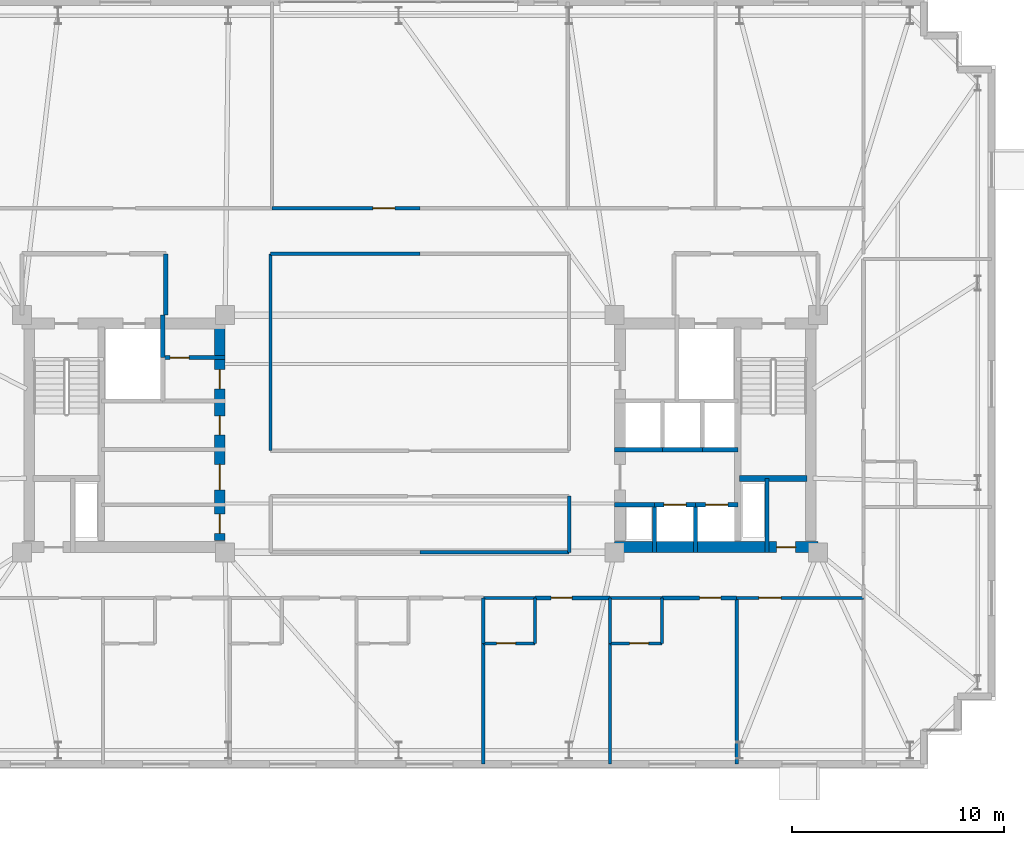
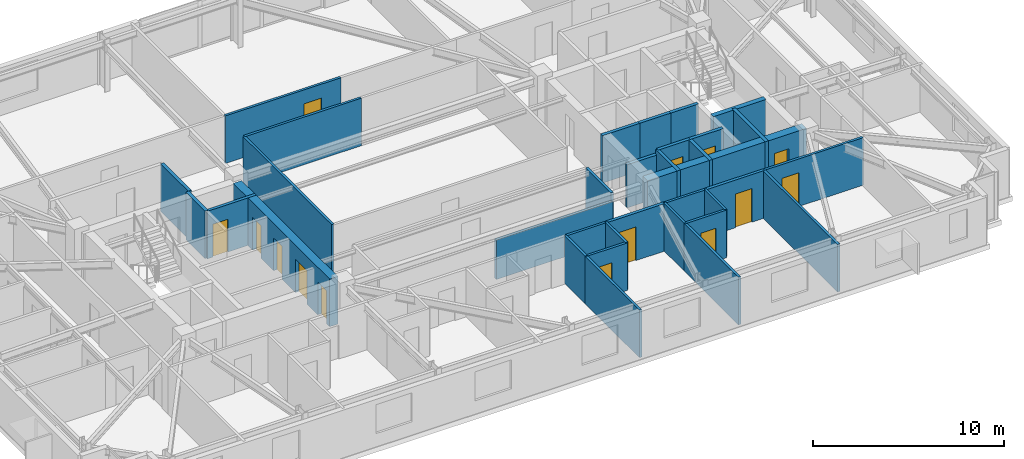
# One storey, part 14 of 18: 34 walls, 14 doors, 14 openings.
"""IFC4 building model written with IfcOpenShell, lengths in metres."""

from ifc_helpers import new_model, si_unit, direction, frame, frame_2d, origin, place, context, subcontext, project, spatial, rectangle, extrude, material, layer, layer_set, type_object, element, fill, save


model = new_model("IFC4")

# Units and contexts
model_context = context("Model", 3, precision=1e-05, world=origin(), true_north=direction((0.0, 1.0)))
body_context = subcontext(model_context, "Body", "Model", "MODEL_VIEW")
ifc_project = project(units=[si_unit("LENGTHUNIT", "METRE"), si_unit("AREAUNIT", "SQUARE_METRE"), si_unit("VOLUMEUNIT", "CUBIC_METRE"), si_unit("PLANEANGLEUNIT", "RADIAN"), si_unit("MASSUNIT", "GRAM", prefix="KILO")], contexts=[model_context])

# Site, building, storey
site_placement = place(None, origin())
site = spatial("IfcSite", under=ifc_project, at=site_placement, CompositionType="ELEMENT")
building_placement = place(site_placement, origin())
building = spatial("IfcBuilding", under=site, at=building_placement, Name="Qobustan Lattice House", CompositionType="ELEMENT")
storey_placement = place(building_placement, frame((0.0, 0.0, 147.75)))
storey = spatial("IfcBuildingStorey", under=building, at=storey_placement, Name="L41", CompositionType="ELEMENT", Elevation=147.75)

# Wall, openings, doors
ifc_material_1 = material(Name="Concrete C50/60", Category="concrete")
ifc_layer_1 = layer(ifc_material_1, 0.5)
ifc_layer_set_1 = layer_set([ifc_layer_1], Name="Concrete C50/60")
wall_type_1 = type_object("IfcWallType", Name="WAL-CORE-500", PredefinedType="SHEAR", material=ifc_layer_set_1)
wall_1_placement = place(storey_placement, frame((-9.449951171875, -5.050048828125, 0.0), z_axis=(0.0, 0.0, 1.0), x_axis=(0.0, 1.0, 0.0)))
wall_1 = element("IfcWall", 1, at=wall_1_placement, inside=storey, type_object=wall_type_1, Name="L41 split-core shear wall CW-E", PredefinedType="SHEAR", context=body_context, shape_type="SweptSolid", body=[
    extrude(rectangle(XDim=10.10009765625, YDim=0.5, at=frame_2d((5.050048828125, 0.0))), origin(), (0.0, 0.0, 1.0), 3.0400390625),
])
opening_1_placement = place(wall_1_placement, frame((7.175048828125, 0.0, 0.0)))
opening_1 = element("IfcOpeningElement", 2, at=opening_1_placement, cuts=wall_1, Name="Opening RD-01", PredefinedType="OPENING", context=body_context, shape_type="SweptSolid", body=[
    extrude(rectangle(XDim=0.89990234375, YDim=2.10009765625, at=frame_2d((0.449951171875, 1.050048828125))), frame((0.0, 0.260009765625, 0.0), z_axis=(0.0, -1.0, 0.0), x_axis=(1.0, 0.0, 0.0)), (0.0, 0.0, 1.0), 0.52001953125),
])
opening_2_placement = place(wall_1_placement, frame((2.39990234375, 0.0, 0.0)))
opening_2 = element("IfcOpeningElement", 3, at=opening_2_placement, cuts=wall_1, Name="Opening FD-01", PredefinedType="OPENING", context=body_context, shape_type="SweptSolid", body=[
    extrude(rectangle(XDim=1.199951171875, YDim=2.14990234375, at=frame_2d((0.60009765625, 1.074951171875))), frame((0.0, 0.260009765625, 0.0), z_axis=(0.0, -1.0, 0.0), x_axis=(1.0, 0.0, 0.0)), (0.0, 0.0, 1.0), 0.52001953125),
])
opening_3_placement = place(wall_1_placement, frame((0.35009765625, 0.0, 0.0)))
opening_3 = element("IfcOpeningElement", 4, at=opening_3_placement, cuts=wall_1, Name="Opening RD-01", PredefinedType="OPENING", context=body_context, shape_type="SweptSolid", body=[
    extrude(rectangle(XDim=0.89990234375, YDim=2.10009765625, at=frame_2d((0.449951171875, 1.050048828125))), frame((0.0, 0.260009765625, 0.0), z_axis=(0.0, -1.0, 0.0), x_axis=(1.0, 0.0, 0.0)), (0.0, 0.0, 1.0), 0.52001953125),
])
opening_4_placement = place(wall_1_placement, frame((5.0, 0.0, 0.0)))
opening_4 = element("IfcOpeningElement", 5, at=opening_4_placement, cuts=wall_1, Name="Opening RD-01", PredefinedType="OPENING", context=body_context, shape_type="SweptSolid", body=[
    extrude(rectangle(XDim=0.89990234375, YDim=2.10009765625, at=frame_2d((0.449951171875, 1.050048828125))), frame((0.0, 0.260009765625, 0.0), z_axis=(0.0, -1.0, 0.0), x_axis=(1.0, 0.0, 0.0)), (0.0, 0.0, 1.0), 0.52001953125),
])
ifc_material_2 = material(Name="Persian walnut timber and steel frame door", Category="steel")
door_type_1 = type_object("IfcDoorType", Name="DOR-LOBBY-FD-1200x2150", OperationType="NOTDEFINED", PredefinedType="DOOR", material=ifc_material_2)
door_1_placement = place(opening_2_placement, origin())
door_1 = element("IfcDoor", 6, at=door_1_placement, inside=storey, type_object=door_type_1, Name="L41 West core foyer fire door", OperationType="SINGLE_SWING_RIGHT", OverallHeight=2.14990234375, OverallWidth=1.199951171875, PredefinedType="DOOR", context=body_context, shape_type="SweptSolid", body=[
    extrude(rectangle(XDim=1.199951171875, YDim=2.14990234375, at=frame_2d((0.60009765625, 1.074951171875))), frame((0.0, 0.02490234375, 0.0), z_axis=(0.0, -1.0, 0.0), x_axis=(1.0, 0.0, 0.0)), (0.0, 0.0, 1.0), 0.050048828125),
])
fill(opening_2, door_1)
ifc_material_3 = material(Name="Persian walnut timber and steel frame door", Category="steel")
door_type_2 = type_object("IfcDoorType", Name="DOR-RISER-FD-900x2100", OperationType="NOTDEFINED", PredefinedType="DOOR", material=ifc_material_3)
door_2_placement = place(opening_1_placement, origin())
door_2 = element("IfcDoor", 7, at=door_2_placement, inside=storey, type_object=door_type_2, Name="L41 Core utility lobby fire door", OperationType="SINGLE_SWING_LEFT", OverallHeight=2.10009765625, OverallWidth=0.89990234375, PredefinedType="DOOR", context=body_context, shape_type="SweptSolid", body=[
    extrude(rectangle(XDim=0.89990234375, YDim=2.10009765625, at=frame_2d((0.449951171875, 1.050048828125))), frame((0.0, 0.02490234375, 0.0), z_axis=(0.0, -1.0, 0.0), x_axis=(1.0, 0.0, 0.0)), (0.0, 0.0, 1.0), 0.050048828125),
])
fill(opening_1, door_2)
door_3_placement = place(opening_3_placement, origin())
door_3 = element("IfcDoor", 8, at=door_3_placement, inside=storey, type_object=door_type_2, Name="L41 Quiet study alcove fire door", OperationType="SINGLE_SWING_LEFT", OverallHeight=2.10009765625, OverallWidth=0.89990234375, PredefinedType="DOOR", context=body_context, shape_type="SweptSolid", body=[
    extrude(rectangle(XDim=0.89990234375, YDim=2.10009765625, at=frame_2d((0.449951171875, 1.050048828125))), frame((0.0, 0.02490234375, 0.0), z_axis=(0.0, -1.0, 0.0), x_axis=(1.0, 0.0, 0.0)), (0.0, 0.0, 1.0), 0.050048828125),
])
fill(opening_3, door_3)
door_4_placement = place(opening_4_placement, origin())
door_4 = element("IfcDoor", 9, at=door_4_placement, inside=storey, type_object=door_type_2, Name="L41 Resident reading pod fire door", OperationType="SINGLE_SWING_RIGHT", OverallHeight=2.10009765625, OverallWidth=0.89990234375, PredefinedType="DOOR", context=body_context, shape_type="SweptSolid", body=[
    extrude(rectangle(XDim=0.89990234375, YDim=2.10009765625, at=frame_2d((0.449951171875, 1.050048828125))), frame((0.0, 0.02490234375, 0.0), z_axis=(0.0, -1.0, 0.0), x_axis=(1.0, 0.0, 0.0)), (0.0, 0.0, 1.0), 0.050048828125),
])
fill(opening_4, door_4)

# Wall, opening, door
wall_2_placement = place(storey_placement, frame((9.199951171875, -5.35009765625, 0.0), z_axis=(0.0, 0.0, 1.0), x_axis=(1.0, 0.0, 0.0)))
wall_2 = element("IfcWall", 10, at=wall_2_placement, inside=storey, type_object=wall_type_1, Name="L41 split-core shear wall CE-S", PredefinedType="SHEAR", context=body_context, shape_type="SweptSolid", body=[
    extrude(rectangle(XDim=9.60009765625, YDim=0.5, at=frame_2d((4.800048828125, 0.0))), origin(), (0.0, 0.0, 1.0), 3.0400390625),
])
opening_5_placement = place(wall_2_placement, frame((7.64990234375, 0.0, 0.0)))
opening_5 = element("IfcOpeningElement", 11, at=opening_5_placement, cuts=wall_2, Name="Opening RD-01", PredefinedType="OPENING", context=body_context, shape_type="SweptSolid", body=[
    extrude(rectangle(XDim=0.89990234375, YDim=2.10009765625, at=frame_2d((0.449951171875, 1.050048828125))), frame((0.0, 0.260009765625, 0.0), z_axis=(0.0, -1.0, 0.0), x_axis=(1.0, 0.0, 0.0)), (0.0, 0.0, 1.0), 0.52001953125),
])
door_5_placement = place(opening_5_placement, origin())
door_5 = element("IfcDoor", 12, at=door_5_placement, inside=storey, type_object=door_type_2, Name="L41 core service riser access door E", OperationType="SINGLE_SWING_RIGHT", OverallHeight=2.10009765625, OverallWidth=0.89990234375, PredefinedType="DOOR", context=body_context, shape_type="SweptSolid", body=[
    extrude(rectangle(XDim=0.89990234375, YDim=2.10009765625, at=frame_2d((0.449951171875, 1.050048828125))), frame((0.0, 0.02490234375, 0.0), z_axis=(0.0, -1.0, 0.0), x_axis=(1.0, 0.0, 0.0)), (0.0, 0.0, 1.0), 0.050048828125),
])
fill(opening_5, door_5)

# Wall
ifc_material_4 = material(Name="Concrete C50/60", Category="concrete")
ifc_layer_2 = layer(ifc_material_4, 0.280029296875)
ifc_layer_set_2 = layer_set([ifc_layer_2], Name="Concrete C50/60")
wall_type_2 = type_object("IfcWallType", Name="WAL-CORE-SPINE-280", PredefinedType="SHEAR", material=ifc_layer_set_2)
wall_3_placement = place(storey_placement, frame((15.10009765625, -2.110107421875, 0.0), z_axis=(0.0, 0.0, 1.0), x_axis=(1.0, 0.0, 0.0)))
element("IfcWall", 13, at=wall_3_placement, inside=storey, type_object=wall_type_2, Name="L41 split-core shear wall CE-ST", PredefinedType="SHEAR", context=body_context, shape_type="SweptSolid", body=[
    extrude(rectangle(XDim=3.179931640625, YDim=0.300048828125, at=frame_2d((1.58984375, 0.0))), origin(), (0.0, 0.0, 1.0), 3.0400390625),
])

# Wall, opening, door
ifc_material_5 = material(Name="Gypsum fireboard acoustic partition", Category="gypsum")
ifc_layer_3 = layer(ifc_material_5, 0.179931640625)
ifc_layer_set_3 = layer_set([ifc_layer_3], Name="Gypsum fireboard acoustic partition")
wall_type_3 = type_object("IfcWallType", Name="WAL-FIRE-180", PredefinedType="PARTITIONING", material=ifc_layer_set_3)
wall_4_placement = place(storey_placement, frame((-9.199951171875, 3.60009765625, 0.0), z_axis=(0.0, 0.0, 1.0), x_axis=(-1.0, 0.0, 0.0)))
wall_4 = element("IfcWall", 14, at=wall_4_placement, inside=storey, type_object=wall_type_3, Name="L41 interior partition 7", PredefinedType="PARTITIONING", context=body_context, shape_type="SweptSolid", body=[
    extrude(rectangle(XDim=2.949951171875, YDim=0.179931640625, at=frame_2d((1.47509765625, 0.0))), origin(), (0.0, 0.0, 1.0), 3.0400390625),
])
opening_6_placement = place(wall_4_placement, frame((1.699951171875, 0.0, 0.0)))
opening_6 = element("IfcOpeningElement", 15, at=opening_6_placement, cuts=wall_4, Name="Opening RD-01", PredefinedType="OPENING", context=body_context, shape_type="SweptSolid", body=[
    extrude(rectangle(XDim=0.89990234375, YDim=2.10009765625, at=frame_2d((0.449951171875, 1.050048828125))), frame((0.0, 0.099853515625, 0.0), z_axis=(0.0, -1.0, 0.0), x_axis=(1.0, 0.0, 0.0)), (0.0, 0.0, 1.0), 0.199951171875),
])
door_6_placement = place(opening_6_placement, origin())
door_6 = element("IfcDoor", 16, at=door_6_placement, inside=storey, type_object=door_type_2, Name="L41 Core utility lobby to Cleaner store door", OperationType="SINGLE_SWING_RIGHT", OverallHeight=2.10009765625, OverallWidth=0.89990234375, PredefinedType="DOOR", context=body_context, shape_type="SweptSolid", body=[
    extrude(rectangle(XDim=0.89990234375, YDim=2.10009765625, at=frame_2d((0.449951171875, 1.050048828125))), frame((0.0, 0.02490234375, 0.0), z_axis=(0.0, -1.0, 0.0), x_axis=(1.0, 0.0, 0.0)), (0.0, 0.0, 1.0), 0.050048828125),
])
fill(opening_6, door_6)

wall_5_placement = place(storey_placement, frame((8.97900390625, -7.75, 0.0), z_axis=(0.0, 0.0, 1.0), x_axis=(-1.0, 0.0, 0.0)))
wall_5 = element("IfcWall", 17, at=wall_5_placement, inside=storey, type_object=wall_type_3, Name="L41 interior partition 52", PredefinedType="PARTITIONING", context=body_context, shape_type="SweptSolid", body=[
    extrude(rectangle(XDim=3.535888671875, YDim=0.179931640625, at=frame_2d((1.76806640625, 0.0))), origin(), (0.0, 0.0, 1.0), 3.0400390625),
])
opening_7_placement = place(wall_5_placement, frame((1.783935546875, 0.0, 0.0)))
opening_7 = element("IfcOpeningElement", 18, at=opening_7_placement, cuts=wall_5, Name="Opening FD-02", PredefinedType="OPENING", context=body_context, shape_type="SweptSolid", body=[
    extrude(rectangle(XDim=1.0, YDim=2.14990234375, at=frame_2d((0.5, 1.074951171875))), frame((0.0, 0.099853515625, 0.0), z_axis=(0.0, -1.0, 0.0), x_axis=(1.0, 0.0, 0.0)), (0.0, 0.0, 1.0), 0.199951171875),
])
ifc_material_6 = material(Name="Persian walnut timber and steel frame door", Category="steel")
door_type_3 = type_object("IfcDoorType", Name="DOR-UNIT-FD-1000x2150", OperationType="NOTDEFINED", PredefinedType="DOOR", material=ifc_material_6)
door_7_placement = place(opening_7_placement, origin())
door_7 = element("IfcDoor", 19, at=door_7_placement, inside=storey, type_object=door_type_3, Name="L41 South-east floor corridor to Kitchenette and studio apartment L41-S5 door", OperationType="SINGLE_SWING_RIGHT", OverallHeight=2.14990234375, OverallWidth=1.0, PredefinedType="DOOR", context=body_context, shape_type="SweptSolid", body=[
    extrude(rectangle(XDim=1.0, YDim=2.14990234375, at=frame_2d((0.5, 1.074951171875))), frame((0.0, 0.02490234375, 0.0), z_axis=(0.0, -1.0, 0.0), x_axis=(1.0, 0.0, 0.0)), (0.0, 0.0, 1.0), 0.050048828125),
])
fill(opening_7, door_7)

wall_6_placement = place(storey_placement, frame((14.964111328125, -7.75, 0.0), z_axis=(0.0, 0.0, 1.0), x_axis=(-1.0, 0.0, 0.0)))
wall_6 = element("IfcWall", 20, at=wall_6_placement, inside=storey, type_object=wall_type_3, Name="L41 interior partition 54", PredefinedType="PARTITIONING", context=body_context, shape_type="SweptSolid", body=[
    extrude(rectangle(XDim=3.53515625, YDim=0.179931640625, at=frame_2d((1.767578125, 0.0))), origin(), (0.0, 0.0, 1.0), 3.0400390625),
])
opening_8_placement = place(wall_6_placement, frame((0.751953125, 0.0, 0.0)))
opening_8 = element("IfcOpeningElement", 21, at=opening_8_placement, cuts=wall_6, Name="Opening FD-02", PredefinedType="OPENING", context=body_context, shape_type="SweptSolid", body=[
    extrude(rectangle(XDim=1.0, YDim=2.14990234375, at=frame_2d((0.5, 1.074951171875))), frame((0.0, 0.099853515625, 0.0), z_axis=(0.0, -1.0, 0.0), x_axis=(1.0, 0.0, 0.0)), (0.0, 0.0, 1.0), 0.199951171875),
])
door_8_placement = place(opening_8_placement, origin())
door_8 = element("IfcDoor", 22, at=door_8_placement, inside=storey, type_object=door_type_3, Name="L41 South-east floor corridor to Kitchenette and studio apartment L41-S6 door", OperationType="SINGLE_SWING_LEFT", OverallHeight=2.14990234375, OverallWidth=1.0, PredefinedType="DOOR", context=body_context, shape_type="SweptSolid", body=[
    extrude(rectangle(XDim=1.0, YDim=2.14990234375, at=frame_2d((0.5, 1.074951171875))), frame((0.0, 0.02490234375, 0.0), z_axis=(0.0, -1.0, 0.0), x_axis=(1.0, 0.0, 0.0)), (0.0, 0.0, 1.0), 0.050048828125),
])
fill(opening_8, door_8)

ifc_material_7 = material(Name="Acoustic twin-stud gypsum partition", Category="gypsum")
ifc_layer_4 = layer(ifc_material_7, 0.14990234375)
ifc_layer_set_4 = layer_set([ifc_layer_4], Name="Acoustic twin-stud gypsum partition")
wall_type_4 = type_object("IfcWallType", Name="WAL-PART-150", PredefinedType="PARTITIONING", material=ifc_layer_set_4)
wall_7_placement = place(storey_placement, frame((-6.98291015625, 10.64990234375, 0.0), z_axis=(0.0, 0.0, 1.0), x_axis=(1.0, 0.0, 0.0)))
wall_7 = element("IfcWall", 23, at=wall_7_placement, inside=storey, type_object=wall_type_4, Name="L41 interior partition 34", PredefinedType="PARTITIONING", context=body_context, shape_type="SweptSolid", body=[
    extrude(rectangle(XDim=6.98291015625, YDim=0.14990234375, at=frame_2d((3.491455078125, 0.0))), origin(), (0.0, 0.0, 1.0), 3.0400390625),
])
opening_9_placement = place(wall_7_placement, frame((4.75634765625, 0.0, 0.0)))
opening_9 = element("IfcOpeningElement", 24, at=opening_9_placement, cuts=wall_7, Name="Opening ID-02", PredefinedType="OPENING", context=body_context, shape_type="SweptSolid", body=[
    extrude(rectangle(XDim=1.050048828125, YDim=2.14990234375, at=frame_2d((0.52490234375, 1.074951171875))), frame((0.0, 0.0849609375, 0.0), z_axis=(0.0, -1.0, 0.0), x_axis=(1.0, 0.0, 0.0)), (0.0, 0.0, 1.0), 0.169921875),
])
ifc_material_8 = material(Name="Persian walnut timber and steel frame door", Category="steel")
door_type_4 = type_object("IfcDoorType", Name="DOR-STUDY-1050x2150", OperationType="NOTDEFINED", PredefinedType="DOOR", material=ifc_material_8)
door_9_placement = place(opening_9_placement, origin())
door_9 = element("IfcDoor", 25, at=door_9_placement, inside=storey, type_object=door_type_4, Name="L41 North-west floor corridor to Walnut iwan sky lounge N2 door", OperationType="SINGLE_SWING_RIGHT", OverallHeight=2.14990234375, OverallWidth=1.050048828125, PredefinedType="DOOR", context=body_context, shape_type="SweptSolid", body=[
    extrude(rectangle(XDim=1.050048828125, YDim=2.14990234375, at=frame_2d((0.52490234375, 1.074951171875))), frame((0.0, 0.02490234375, 0.0), z_axis=(0.0, -1.0, 0.0), x_axis=(1.0, 0.0, 0.0)), (0.0, 0.0, 1.0), 0.050048828125),
])
fill(opening_9, door_9)

# Wall
wall_8_placement = place(storey_placement, frame((0.0, 8.5, 0.0), z_axis=(0.0, 0.0, 1.0), x_axis=(-1.0, 0.0, 0.0)))
element("IfcWall", 26, at=wall_8_placement, inside=storey, type_object=wall_type_4, Name="L41 interior partition 35", PredefinedType="PARTITIONING", context=body_context, shape_type="SweptSolid", body=[
    extrude(rectangle(XDim=7.050048828125, YDim=0.14990234375, at=frame_2d((3.52490234375, 0.0))), origin(), (0.0, 0.0, 1.0), 3.0400390625),
])

# Wall, opening, door
wall_9_placement = place(storey_placement, frame((20.949951171875, -7.75, 0.0), z_axis=(0.0, 0.0, 1.0), x_axis=(-1.0, 0.0, 0.0)))
wall_9 = element("IfcWall", 27, at=wall_9_placement, inside=storey, type_object=wall_type_4, Name="L41 interior partition 56", PredefinedType="PARTITIONING", context=body_context, shape_type="SweptSolid", body=[
    extrude(rectangle(XDim=5.98583984375, YDim=0.14990234375, at=frame_2d((2.992919921875, 0.0))), origin(), (0.0, 0.0, 1.0), 3.0400390625),
])
opening_10_placement = place(wall_9_placement, frame((3.884033203125, 0.0, 0.0)))
opening_10 = element("IfcOpeningElement", 28, at=opening_10_placement, cuts=wall_9, Name="Opening ID-02", PredefinedType="OPENING", context=body_context, shape_type="SweptSolid", body=[
    extrude(rectangle(XDim=1.050048828125, YDim=2.14990234375, at=frame_2d((0.52490234375, 1.074951171875))), frame((0.0, 0.0849609375, 0.0), z_axis=(0.0, -1.0, 0.0), x_axis=(1.0, 0.0, 0.0)), (0.0, 0.0, 1.0), 0.169921875),
])
door_10_placement = place(opening_10_placement, origin())
door_10 = element("IfcDoor", 29, at=door_10_placement, inside=storey, type_object=door_type_4, Name="L41 South-east floor corridor to Group study room door", OperationType="SINGLE_SWING_RIGHT", OverallHeight=2.14990234375, OverallWidth=1.050048828125, PredefinedType="DOOR", context=body_context, shape_type="SweptSolid", body=[
    extrude(rectangle(XDim=1.050048828125, YDim=2.14990234375, at=frame_2d((0.52490234375, 1.074951171875))), frame((0.0, 0.02490234375, 0.0), z_axis=(0.0, -1.0, 0.0), x_axis=(1.0, 0.0, 0.0)), (0.0, 0.0, 1.0), 0.050048828125),
])
fill(opening_10, door_10)

# Walls
wall_10_placement = place(storey_placement, frame((-7.050048828125, 8.5, 0.0), z_axis=(0.0, 0.0, 1.0), x_axis=(0.0, -1.0, 0.0)))
element("IfcWall", 30, at=wall_10_placement, inside=storey, type_object=wall_type_4, Name="L41 interior partition 64", PredefinedType="PARTITIONING", context=body_context, shape_type="SweptSolid", body=[
    extrude(rectangle(XDim=9.300048828125, YDim=0.14990234375, at=frame_2d((4.64990234375, 0.0))), origin(), (0.0, 0.0, 1.0), 3.0400390625),
])
for number, where, z_axis, x_axis, name in (
    (31, (2.992919921875, -9.89990234375, 0.0), (0.0, 0.0, 1.0), (0.0, -1.0, 0.0), "L41 interior partition 107"),
    (32, (8.97900390625, -9.89990234375, 0.0), (0.0, 0.0, 1.0), (0.0, -1.0, 0.0), "L41 interior partition 111"),
):
    element("IfcWall", number, at=place(storey_placement, frame(where, z_axis=z_axis, x_axis=x_axis)), inside=storey, type_object=wall_type_4, Name=name, PredefinedType="PARTITIONING", context=body_context, shape_type="SweptSolid", body=[
        extrude(rectangle(XDim=5.7001953125, YDim=0.14990234375, at=frame_2d((2.85009765625, 0.0))), origin(), (0.0, 0.0, 1.0), 3.0400390625),
    ])
wall_11_placement = place(storey_placement, frame((14.964111328125, -7.75, 0.0), z_axis=(0.0, 0.0, 1.0), x_axis=(0.0, -1.0, 0.0)))
element("IfcWall", 33, at=wall_11_placement, inside=storey, type_object=wall_type_4, Name="L41 interior partition 115", PredefinedType="PARTITIONING", context=body_context, shape_type="SweptSolid", body=[
    extrude(rectangle(XDim=7.85009765625, YDim=0.14990234375, at=frame_2d((3.925048828125, 0.0))), origin(), (0.0, 0.0, 1.0), 3.0400390625),
])
ifc_material_9 = material(Name="High-mass acoustic twin-stud partition", Category="gypsum")
ifc_layer_5 = layer(ifc_material_9, 0.1650390625)
ifc_layer_set_5 = layer_set([ifc_layer_5], Name="High-mass acoustic twin-stud partition")
wall_type_5 = type_object("IfcWallType", Name="WAL-PART-165", PredefinedType="PARTITIONING", material=ifc_layer_set_5)
wall_12_placement = place(storey_placement, frame((0.0, -5.60009765625, 0.0), z_axis=(0.0, 0.0, 1.0), x_axis=(1.0, 0.0, 0.0)))
element("IfcWall", 34, at=wall_12_placement, inside=storey, type_object=wall_type_5, Name="L41 interior partition 57", PredefinedType="PARTITIONING", context=body_context, shape_type="SweptSolid", body=[
    extrude(rectangle(XDim=7.050048828125, YDim=0.1650390625, at=frame_2d((3.52490234375, 0.0))), origin(), (0.0, 0.0, 1.0), 2.52490234375),
])
wall_13_placement = place(storey_placement, frame((7.050048828125, -5.60009765625, 0.0), z_axis=(0.0, 0.0, 1.0), x_axis=(0.0, 1.0, 0.0)))
element("IfcWall", 35, at=wall_13_placement, inside=storey, type_object=wall_type_5, Name="L41 interior partition 67", PredefinedType="PARTITIONING", context=body_context, shape_type="SweptSolid", body=[
    extrude(rectangle(XDim=2.650146484375, YDim=0.1650390625, at=frame_2d((1.3251953125, 0.0))), origin(), (0.0, 0.0, 1.0), 3.0400390625),
])
ifc_material_10 = material(Name="Two-hour gypsum fireboard acoustic partition", Category="gypsum")
ifc_layer_6 = layer(ifc_material_10, 0.199951171875)
ifc_layer_set_6 = layer_set([ifc_layer_6], Name="Two-hour gypsum fireboard acoustic partition")
wall_type_6 = type_object("IfcWallType", Name="WAL-PROT-200", PredefinedType="PARTITIONING", material=ifc_layer_set_6)
wall_14_placement = place(storey_placement, frame((-12.0, 5.60009765625, 0.0), z_axis=(0.0, 0.0, 1.0), x_axis=(0.0, 1.0, 0.0)))
element("IfcWall", 36, at=wall_14_placement, inside=storey, type_object=wall_type_6, Name="L41 interior partition 6", PredefinedType="PARTITIONING", context=body_context, shape_type="SweptSolid", body=[
    extrude(rectangle(XDim=2.89990234375, YDim=0.199951171875, at=frame_2d((1.449951171875, 0.0))), origin(), (0.0, 0.0, 1.0), 3.0400390625),
])
ifc_material_11 = material(Name="Concrete C40/50", Category="concrete")
ifc_layer_7 = layer(ifc_material_11, 0.199951171875)
ifc_layer_set_7 = layer_set([ifc_layer_7], Name="Concrete C40/50")
wall_type_7 = type_object("IfcWallType", Name="WAL-SHAFT-200", PredefinedType="PARTITIONING", material=ifc_layer_set_7)
wall_15_placement = place(storey_placement, frame((-12.14990234375, 3.60009765625, 0.0), z_axis=(0.0, 0.0, 1.0), x_axis=(0.0, 1.0, 0.0)))
element("IfcWall", 37, at=wall_15_placement, inside=storey, type_object=wall_type_7, Name="L41 interior partition 3", PredefinedType="PARTITIONING", context=body_context, shape_type="SweptSolid", body=[
    extrude(rectangle(XDim=2.0, YDim=0.199951171875, at=frame_2d((1.0, 0.0))), origin(), (0.0, 0.0, 1.0), 3.0400390625),
])
wall_16_placement = place(storey_placement, frame((16.39990234375, -2.110107421875, 0.0), z_axis=(0.0, 0.0, 1.0), x_axis=(0.0, -1.0, 0.0)))
element("IfcWall", 38, at=wall_16_placement, inside=storey, type_object=wall_type_7, Name="L41 interior partition 15", PredefinedType="PARTITIONING", context=body_context, shape_type="SweptSolid", body=[
    extrude(rectangle(XDim=3.489990234375, YDim=0.199951171875, at=frame_2d((1.7451171875, 0.0))), origin(), (0.0, 0.0, 1.0), 3.0400390625),
])
wall_17_placement = place(storey_placement, frame((9.199951171875, -3.35009765625, 0.0), z_axis=(0.0, 0.0, 1.0), x_axis=(1.0, 0.0, 0.0)))
element("IfcWall", 39, at=wall_17_placement, inside=storey, type_object=wall_type_7, Name="L41 interior partition 21", PredefinedType="PARTITIONING", context=body_context, shape_type="SweptSolid", body=[
    extrude(rectangle(XDim=1.880126953125, YDim=0.199951171875, at=frame_2d((0.93994140625, 0.0))), origin(), (0.0, 0.0, 1.0), 2.7548828125),
])

# Wall, opening, door
wall_18_placement = place(storey_placement, frame((11.080078125, -3.35009765625, 0.0), z_axis=(0.0, 0.0, 1.0), x_axis=(1.0, 0.0, 0.0)))
wall_18 = element("IfcWall", 40, at=wall_18_placement, inside=storey, type_object=wall_type_7, Name="L41 interior partition 22", PredefinedType="PARTITIONING", context=body_context, shape_type="SweptSolid", body=[
    extrude(rectangle(XDim=1.93994140625, YDim=0.199951171875, at=frame_2d((0.969970703125, 0.0))), origin(), (0.0, 0.0, 1.0), 3.0400390625),
])
opening_11_placement = place(wall_18_placement, frame((0.445068359375, 0.0, 0.0)))
opening_11 = element("IfcOpeningElement", 41, at=opening_11_placement, cuts=wall_18, Name="Opening LD-01", PredefinedType="OPENING", context=body_context, shape_type="SweptSolid", body=[
    extrude(rectangle(XDim=1.050048828125, YDim=2.10009765625, at=frame_2d((0.52490234375, 1.050048828125))), frame((0.0, 0.10986328125, 0.0), z_axis=(0.0, -1.0, 0.0), x_axis=(1.0, 0.0, 0.0)), (0.0, 0.0, 1.0), 0.219970703125),
])
ifc_material_12 = material(Name="Persian walnut timber and steel frame door", Category="steel")
door_type_5 = type_object("IfcDoorType", Name="DOR-LIFT-LD-1050x2100", OperationType="NOTDEFINED", PredefinedType="DOOR", material=ifc_material_12)
door_11_placement = place(opening_11_placement, origin())
door_11 = element("IfcDoor", 42, at=door_11_placement, inside=storey, type_object=door_type_5, Name="L41 lift landing door", OperationType="DOUBLE_DOOR_SLIDING", OverallHeight=2.10009765625, OverallWidth=1.050048828125, PredefinedType="DOOR", context=body_context, shape_type="SweptSolid", body=[
    extrude(rectangle(XDim=1.050048828125, YDim=2.10009765625, at=frame_2d((0.52490234375, 1.050048828125))), frame((0.0, 0.02490234375, 0.0), z_axis=(0.0, -1.0, 0.0), x_axis=(1.0, 0.0, 0.0)), (0.0, 0.0, 1.0), 0.050048828125),
])
fill(opening_11, door_11)

wall_19_placement = place(storey_placement, frame((13.02001953125, -3.35009765625, 0.0), z_axis=(0.0, 0.0, 1.0), x_axis=(1.0, 0.0, 0.0)))
wall_19 = element("IfcWall", 43, at=wall_19_placement, inside=storey, type_object=wall_type_7, Name="L41 interior partition 23", PredefinedType="PARTITIONING", context=body_context, shape_type="SweptSolid", body=[
    extrude(rectangle(XDim=2.0, YDim=0.199951171875, at=frame_2d((1.0, 0.0))), origin(), (0.0, 0.0, 1.0), 3.0400390625),
])
opening_12_placement = place(wall_19_placement, frame((0.47509765625, 0.0, 0.0)))
opening_12 = element("IfcOpeningElement", 44, at=opening_12_placement, cuts=wall_19, Name="Opening LD-01", PredefinedType="OPENING", context=body_context, shape_type="SweptSolid", body=[
    extrude(rectangle(XDim=1.050048828125, YDim=2.10009765625, at=frame_2d((0.52490234375, 1.050048828125))), frame((0.0, 0.10986328125, 0.0), z_axis=(0.0, -1.0, 0.0), x_axis=(1.0, 0.0, 0.0)), (0.0, 0.0, 1.0), 0.219970703125),
])
door_12_placement = place(opening_12_placement, origin())
door_12 = element("IfcDoor", 45, at=door_12_placement, inside=storey, type_object=door_type_5, Name="L41 lift landing door", OperationType="DOUBLE_DOOR_SLIDING", OverallHeight=2.10009765625, OverallWidth=1.050048828125, PredefinedType="DOOR", context=body_context, shape_type="SweptSolid", body=[
    extrude(rectangle(XDim=1.050048828125, YDim=2.10009765625, at=frame_2d((0.52490234375, 1.050048828125))), frame((0.0, 0.02490234375, 0.0), z_axis=(0.0, -1.0, 0.0), x_axis=(1.0, 0.0, 0.0)), (0.0, 0.0, 1.0), 0.050048828125),
])
fill(opening_12, door_12)

# Walls
wall_20_placement = place(storey_placement, frame((11.4599609375, -0.75, 0.0), z_axis=(0.0, 0.0, 1.0), x_axis=(-1.0, 0.0, 0.0)))
element("IfcWall", 46, at=wall_20_placement, inside=storey, type_object=wall_type_7, Name="L41 interior partition 24", PredefinedType="PARTITIONING", context=body_context, shape_type="SweptSolid", body=[
    extrude(rectangle(XDim=2.260009765625, YDim=0.199951171875, at=frame_2d((1.1298828125, 0.0))), origin(), (0.0, 0.0, 1.0), 3.0400390625),
])
wall_21_placement = place(storey_placement, frame((13.340087890625, -0.75, 0.0), z_axis=(0.0, 0.0, 1.0), x_axis=(-1.0, 0.0, 0.0)))
element("IfcWall", 47, at=wall_21_placement, inside=storey, type_object=wall_type_7, Name="L41 interior partition 25", PredefinedType="PARTITIONING", context=body_context, shape_type="SweptSolid", body=[
    extrude(rectangle(XDim=1.880126953125, YDim=0.199951171875, at=frame_2d((0.93994140625, 0.0))), origin(), (0.0, 0.0, 1.0), 3.0400390625),
])
wall_22_placement = place(storey_placement, frame((15.02001953125, -0.75, 0.0), z_axis=(0.0, 0.0, 1.0), x_axis=(-1.0, 0.0, 0.0)))
element("IfcWall", 48, at=wall_22_placement, inside=storey, type_object=wall_type_7, Name="L41 interior partition 26", PredefinedType="PARTITIONING", context=body_context, shape_type="SweptSolid", body=[
    extrude(rectangle(XDim=1.679931640625, YDim=0.199951171875, at=frame_2d((0.83984375, 0.0))), origin(), (0.0, 0.0, 1.0), 3.0400390625),
])
for number, where, z_axis, x_axis, name in (
    (49, (11.080078125, -5.60009765625, 0.0), (0.0, 0.0, 1.0), (0.0, 1.0, 0.0), "L41 interior partition 28"),
    (50, (13.02001953125, -5.60009765625, 0.0), (0.0, 0.0, 1.0), (0.0, 1.0, 0.0), "L41 interior partition 29"),
):
    element("IfcWall", number, at=place(storey_placement, frame(where, z_axis=z_axis, x_axis=x_axis)), inside=storey, type_object=wall_type_7, Name=name, PredefinedType="PARTITIONING", context=body_context, shape_type="SweptSolid", body=[
        extrude(rectangle(XDim=2.25, YDim=0.199951171875, at=frame_2d((1.125, 0.0))), origin(), (0.0, 0.0, 1.0), 3.0400390625),
    ])
ifc_material_13 = material(Name="Moisture-resistant acoustic plumbing wall", Category="gypsum")
ifc_layer_8 = layer(ifc_material_13, 0.14990234375)
ifc_layer_set_8 = layer_set([ifc_layer_8], Name="Moisture-resistant acoustic plumbing wall")
wall_type_8 = type_object("IfcWallType", Name="WAL-WET-150", PredefinedType="PLUMBINGWALL", material=ifc_layer_set_8)
wall_23_placement = place(storey_placement, frame((5.443115234375, -7.75, 0.0), z_axis=(0.0, 0.0, 1.0), x_axis=(-1.0, 0.0, 0.0)))
element("IfcWall", 51, at=wall_23_placement, inside=storey, type_object=wall_type_8, Name="L41 interior partition 53", PredefinedType="PLUMBINGWALL", context=body_context, shape_type="SweptSolid", body=[
    extrude(rectangle(XDim=2.4501953125, YDim=0.14990234375, at=frame_2d((1.22509765625, 0.0))), origin(), (0.0, 0.0, 1.0), 3.0400390625),
])
wall_24_placement = place(storey_placement, frame((11.428955078125, -7.75, 0.0), z_axis=(0.0, 0.0, 1.0), x_axis=(-1.0, 0.0, 0.0)))
element("IfcWall", 52, at=wall_24_placement, inside=storey, type_object=wall_type_8, Name="L41 interior partition 55", PredefinedType="PLUMBINGWALL", context=body_context, shape_type="SweptSolid", body=[
    extrude(rectangle(XDim=2.449951171875, YDim=0.14990234375, at=frame_2d((1.22509765625, 0.0))), origin(), (0.0, 0.0, 1.0), 3.0400390625),
])
wall_25_placement = place(storey_placement, frame((2.992919921875, -7.75, 0.0), z_axis=(0.0, 0.0, 1.0), x_axis=(0.0, -1.0, 0.0)))
element("IfcWall", 53, at=wall_25_placement, inside=storey, type_object=wall_type_8, Name="L41 interior partition 108", PredefinedType="PLUMBINGWALL", context=body_context, shape_type="SweptSolid", body=[
    extrude(rectangle(XDim=2.14990234375, YDim=0.14990234375, at=frame_2d((1.074951171875, 0.0))), origin(), (0.0, 0.0, 1.0), 3.0400390625),
])

# Wall, opening, door
wall_26_placement = place(storey_placement, frame((2.992919921875, -9.89990234375, 0.0), z_axis=(0.0, 0.0, 1.0), x_axis=(1.0, 0.0, 0.0)))
wall_26 = element("IfcWall", 54, at=wall_26_placement, inside=storey, type_object=wall_type_8, Name="L41 interior partition 109", PredefinedType="PLUMBINGWALL", context=body_context, shape_type="SweptSolid", body=[
    extrude(rectangle(XDim=2.4501953125, YDim=0.14990234375, at=frame_2d((1.22509765625, 0.0))), origin(), (0.0, 0.0, 1.0), 3.0400390625),
])
opening_13_placement = place(wall_26_placement, frame((0.628662109375, 0.0, 0.0)))
opening_13 = element("IfcOpeningElement", 55, at=opening_13_placement, cuts=wall_26, Name="Opening WD-01", PredefinedType="OPENING", context=body_context, shape_type="SweptSolid", body=[
    extrude(rectangle(XDim=0.89990234375, YDim=2.10009765625, at=frame_2d((0.449951171875, 1.050048828125))), frame((0.0, 0.0849609375, 0.0), z_axis=(0.0, -1.0, 0.0), x_axis=(1.0, 0.0, 0.0)), (0.0, 0.0, 1.0), 0.169921875),
])
ifc_material_14 = material(Name="Persian walnut timber and steel frame door", Category="steel")
door_type_6 = type_object("IfcDoorType", Name="DOR-WET-900x2100", OperationType="NOTDEFINED", PredefinedType="DOOR", material=ifc_material_14)
door_13_placement = place(opening_13_placement, origin())
door_13 = element("IfcDoor", 56, at=door_13_placement, inside=storey, type_object=door_type_6, Name="L41 Kitchenette and studio apartment L41-S5 to En-suite bathroom L41-S5 door", OperationType="SINGLE_SWING_LEFT", OverallHeight=2.10009765625, OverallWidth=0.89990234375, PredefinedType="DOOR", context=body_context, shape_type="SweptSolid", body=[
    extrude(rectangle(XDim=0.89990234375, YDim=2.10009765625, at=frame_2d((0.449951171875, 1.050048828125))), frame((0.0, 0.02490234375, 0.0), z_axis=(0.0, -1.0, 0.0), x_axis=(1.0, 0.0, 0.0)), (0.0, 0.0, 1.0), 0.050048828125),
])
fill(opening_13, door_13)

# Walls
for number, where, z_axis, x_axis, name in (
    (57, (5.443115234375, -9.89990234375, 0.0), (0.0, 0.0, 1.0), (0.0, 1.0, 0.0), "L41 interior partition 110"),
    (58, (8.97900390625, -7.75, 0.0), (0.0, 0.0, 1.0), (0.0, -1.0, 0.0), "L41 interior partition 112"),
):
    element("IfcWall", number, at=place(storey_placement, frame(where, z_axis=z_axis, x_axis=x_axis)), inside=storey, type_object=wall_type_8, Name=name, PredefinedType="PLUMBINGWALL", context=body_context, shape_type="SweptSolid", body=[
        extrude(rectangle(XDim=2.14990234375, YDim=0.14990234375, at=frame_2d((1.074951171875, 0.0))), origin(), (0.0, 0.0, 1.0), 3.0400390625),
    ])

# Wall, opening, door
wall_27_placement = place(storey_placement, frame((8.97900390625, -9.89990234375, 0.0), z_axis=(0.0, 0.0, 1.0), x_axis=(1.0, 0.0, 0.0)))
wall_27 = element("IfcWall", 59, at=wall_27_placement, inside=storey, type_object=wall_type_8, Name="L41 interior partition 113", PredefinedType="PLUMBINGWALL", context=body_context, shape_type="SweptSolid", body=[
    extrude(rectangle(XDim=2.449951171875, YDim=0.14990234375, at=frame_2d((1.22509765625, 0.0))), origin(), (0.0, 0.0, 1.0), 3.0400390625),
])
opening_14_placement = place(wall_27_placement, frame((0.92138671875, 0.0, 0.0)))
opening_14 = element("IfcOpeningElement", 60, at=opening_14_placement, cuts=wall_27, Name="Opening WD-01", PredefinedType="OPENING", context=body_context, shape_type="SweptSolid", body=[
    extrude(rectangle(XDim=0.89990234375, YDim=2.10009765625, at=frame_2d((0.449951171875, 1.050048828125))), frame((0.0, 0.0849609375, 0.0), z_axis=(0.0, -1.0, 0.0), x_axis=(1.0, 0.0, 0.0)), (0.0, 0.0, 1.0), 0.169921875),
])
door_14_placement = place(opening_14_placement, origin())
door_14 = element("IfcDoor", 61, at=door_14_placement, inside=storey, type_object=door_type_6, Name="L41 Kitchenette and studio apartment L41-S6 to En-suite bathroom L41-S6 door", OperationType="SINGLE_SWING_RIGHT", OverallHeight=2.10009765625, OverallWidth=0.89990234375, PredefinedType="DOOR", context=body_context, shape_type="SweptSolid", body=[
    extrude(rectangle(XDim=0.89990234375, YDim=2.10009765625, at=frame_2d((0.449951171875, 1.050048828125))), frame((0.0, 0.02490234375, 0.0), z_axis=(0.0, -1.0, 0.0), x_axis=(1.0, 0.0, 0.0)), (0.0, 0.0, 1.0), 0.050048828125),
])
fill(opening_14, door_14)

# Wall
wall_28_placement = place(storey_placement, frame((11.428955078125, -9.89990234375, 0.0), z_axis=(0.0, 0.0, 1.0), x_axis=(0.0, 1.0, 0.0)))
element("IfcWall", 62, at=wall_28_placement, inside=storey, type_object=wall_type_8, Name="L41 interior partition 114", PredefinedType="PLUMBINGWALL", context=body_context, shape_type="SweptSolid", body=[
    extrude(rectangle(XDim=2.14990234375, YDim=0.14990234375, at=frame_2d((1.074951171875, 0.0))), origin(), (0.0, 0.0, 1.0), 3.0400390625),
])

save(model, "model.ifc")
